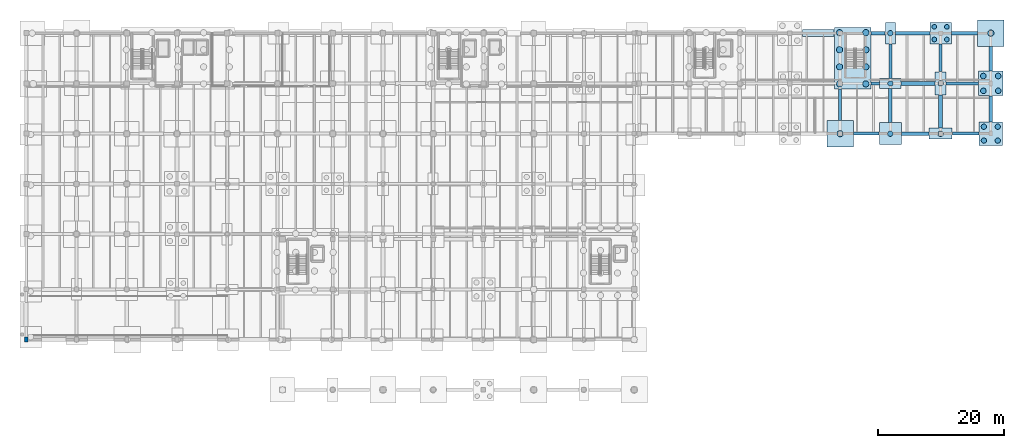
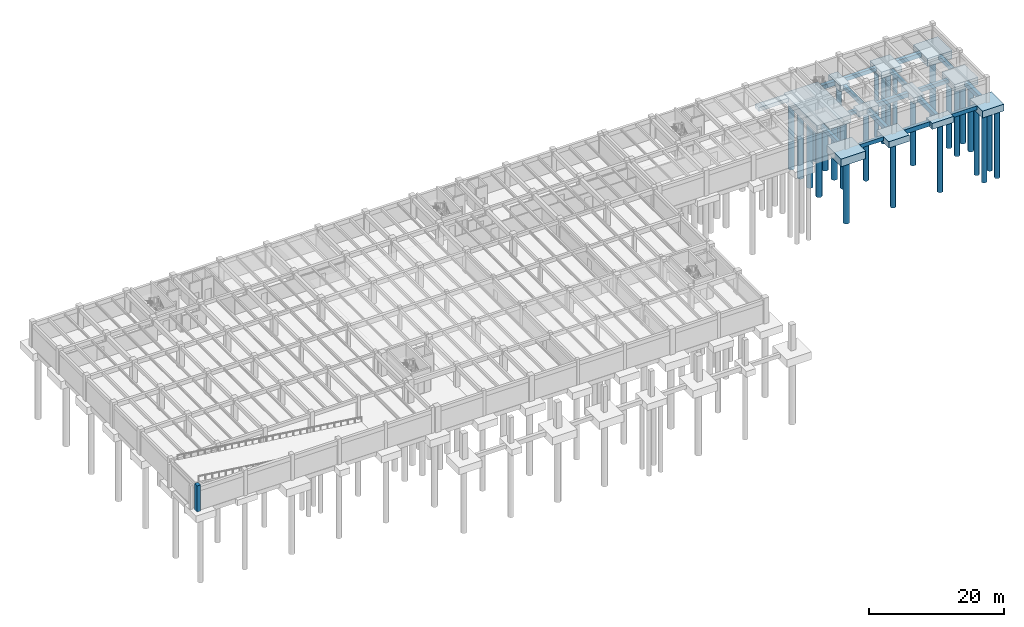
# One storey, part 6 of 25: 28 footings, 27 piles, 1 column.
"""IFC4 building model written with IfcOpenShell, lengths in metres."""

from ifc_helpers import new_model, si_unit, direction, frame, origin, origin_2d, place, context, subcontext, project, spatial, rectangle, circle, extrude, material, layer, layer_set, material_profile, profile_set, type_object, element, save


model = new_model("IFC4")

# Units and contexts
model_context = context("Model", 3, precision=1e-05, world=origin(), true_north=direction((0.0, 1.0)))
body_context = subcontext(model_context, "Body", "Model", "MODEL_VIEW")
ifc_project = project(units=[si_unit("LENGTHUNIT", "METRE"), si_unit("AREAUNIT", "SQUARE_METRE"), si_unit("VOLUMEUNIT", "CUBIC_METRE"), si_unit("PLANEANGLEUNIT", "RADIAN"), si_unit("MASSUNIT", "GRAM", prefix="KILO")], contexts=[model_context])

# Site, building, storey
site_placement = place(None, origin())
site = spatial("IfcSite", under=ifc_project, at=site_placement, CompositionType="ELEMENT")
building_placement = place(site_placement, origin())
building = spatial("IfcBuilding", under=site, at=building_placement, Name="Tlaxcora Railside Police Headquarters", CompositionType="ELEMENT")
storey_placement = place(building_placement, frame((0.0, 0.0, -4.199951171875)))
storey = spatial("IfcBuildingStorey", under=building, at=storey_placement, Name="B1", CompositionType="ELEMENT", Elevation=-4.199951171875)

# Piles
ifc_material_1 = material(Name="Concrete C35/45", Category="concrete")
ifc_material_profile_1 = material_profile(ifc_material_1, circle(Radius=0.425048828125, at=origin_2d()), Name="PILE850")
ifc_profile_set_1 = profile_set([ifc_material_profile_1], Name="Concrete C35/45")
pile_type_1 = type_object("IfcPileType", Name="Cast-in-Place Bored Pile PL-12", PredefinedType="BORED", material=ifc_profile_set_1)
pile_placement = place(storey_placement, frame((142.800048828125, 76.800048828125, -1.43994140625), z_axis=(0.0, 0.0, -1.0), x_axis=(1.0, 0.0, 0.0)))
element("IfcPile", 1, at=pile_placement, inside=storey, type_object=pile_type_1, Name="Bored pile PILE-094-1", PredefinedType="BORED", context=body_context, shape_type="SweptSolid", body=[
    extrude(circle(Radius=0.425048828125, at=origin_2d()), origin(), (0.0, 0.0, 1.0), 12.360107421875),
])
for number, where, z_axis, x_axis, name in (
    (2, (142.800048828125, 84.800048828125, -1.340087890625), (0.0, 0.0, -1.0), (1.0, 0.0, 0.0), "Bored pile PILE-095-1"),
    (3, (142.800048828125, 92.800048828125, -1.340087890625), (0.0, 0.0, -1.0), (1.0, 0.0, 0.0), "Bored pile PILE-096-1"),
):
    element("IfcPile", number, at=place(storey_placement, frame(where, z_axis=z_axis, x_axis=x_axis)), inside=storey, type_object=pile_type_1, Name=name, PredefinedType="BORED", context=body_context, shape_type="SweptSolid", body=[
        extrude(circle(Radius=0.425048828125, at=origin_2d()), origin(), (0.0, 0.0, 1.0), 12.4599609375),
    ])
for number, where, z_axis, x_axis, name in (
    (4, (157.695068359375, 75.695068359375, -1.5400390625), (0.0, 0.0, -1.0), (1.0, 0.0, 0.0), "Bored pile PILE-100-1"),
    (5, (157.695068359375, 77.905029296875, -1.5400390625), (0.0, 0.0, -1.0), (1.0, 0.0, 0.0), "Bored pile PILE-100-2"),
    (6, (159.905029296875, 75.695068359375, -1.5400390625), (0.0, 0.0, -1.0), (1.0, 0.0, 0.0), "Bored pile PILE-100-3"),
    (7, (159.905029296875, 77.905029296875, -1.5400390625), (0.0, 0.0, -1.0), (1.0, 0.0, 0.0), "Bored pile PILE-100-4"),
):
    element("IfcPile", number, at=place(storey_placement, frame(where, z_axis=z_axis, x_axis=x_axis)), inside=storey, type_object=pile_type_1, Name=name, PredefinedType="BORED", context=body_context, shape_type="SweptSolid", body=[
        extrude(circle(Radius=0.425048828125, at=origin_2d()), origin(), (0.0, 0.0, 1.0), 12.260009765625),
    ])
ifc_material_profile_2 = material_profile(ifc_material_1, circle(Radius=0.449951171875, at=origin_2d()), Name="PILE900")
ifc_profile_set_2 = profile_set([ifc_material_profile_2], Name="Concrete C35/45")
pile_type_2 = type_object("IfcPileType", Name="Cast-in-Place Bored Pile PL-52", PredefinedType="BORED", material=ifc_profile_set_2)
for number, where, z_axis, x_axis, name in (
    (8, (150.800048828125, 76.800048828125, -1.39013671875), (0.0, 0.0, -1.0), (1.0, 0.0, 0.0), "Bored pile PILE-097-1"),
    (9, (150.800048828125, 84.800048828125, -1.39013671875), (0.0, 0.0, -1.0), (1.0, 0.0, 0.0), "Bored pile PILE-098-1"),
):
    element("IfcPile", number, at=place(storey_placement, frame(where, z_axis=z_axis, x_axis=x_axis)), inside=storey, type_object=pile_type_2, Name=name, PredefinedType="BORED", context=body_context, shape_type="SweptSolid", body=[
        extrude(circle(Radius=0.449951171875, at=origin_2d()), origin(), (0.0, 0.0, 1.0), 12.409912109375),
    ])
for number, where, z_axis, x_axis, name in (
    (10, (157.6201171875, 83.6201171875, -1.590087890625), (0.0, 0.0, -1.0), (1.0, 0.0, 0.0), "Bored pile PILE-101-1"),
    (11, (157.6201171875, 85.97998046875, -1.590087890625), (0.0, 0.0, -1.0), (1.0, 0.0, 0.0), "Bored pile PILE-101-2"),
    (12, (159.97998046875, 83.6201171875, -1.590087890625), (0.0, 0.0, -1.0), (1.0, 0.0, 0.0), "Bored pile PILE-101-3"),
    (13, (159.97998046875, 85.97998046875, -1.590087890625), (0.0, 0.0, -1.0), (1.0, 0.0, 0.0), "Bored pile PILE-101-4"),
):
    element("IfcPile", number, at=place(storey_placement, frame(where, z_axis=z_axis, x_axis=x_axis)), inside=storey, type_object=pile_type_2, Name=name, PredefinedType="BORED", context=body_context, shape_type="SweptSolid", body=[
        extrude(circle(Radius=0.449951171875, at=origin_2d()), origin(), (0.0, 0.0, 1.0), 12.2099609375),
    ])
ifc_material_profile_3 = material_profile(ifc_material_1, circle(Radius=0.375, at=origin_2d()), Name="PILE750")
ifc_profile_set_3 = profile_set([ifc_material_profile_3], Name="Concrete C35/45")
pile_type_3 = type_object("IfcPileType", Name="Cast-in-Place Bored Pile PL-58", PredefinedType="BORED", material=ifc_profile_set_3)
for number, where, z_axis, x_axis, name in (
    (14, (149.794921875, 91.794921875, -1.43994140625), (0.0, 0.0, -1.0), (1.0, 0.0, 0.0), "Bored pile PILE-099-1"),
    (15, (149.794921875, 93.804931640625, -1.43994140625), (0.0, 0.0, -1.0), (1.0, 0.0, 0.0), "Bored pile PILE-099-2"),
    (16, (151.804931640625, 91.794921875, -1.43994140625), (0.0, 0.0, -1.0), (1.0, 0.0, 0.0), "Bored pile PILE-099-3"),
    (17, (151.804931640625, 93.804931640625, -1.43994140625), (0.0, 0.0, -1.0), (1.0, 0.0, 0.0), "Bored pile PILE-099-4"),
):
    element("IfcPile", number, at=place(storey_placement, frame(where, z_axis=z_axis, x_axis=x_axis)), inside=storey, type_object=pile_type_3, Name=name, PredefinedType="BORED", context=body_context, shape_type="SweptSolid", body=[
        extrude(circle(Radius=0.375, at=origin_2d()), origin(), (0.0, 0.0, 1.0), 12.360107421875),
    ])
ifc_material_profile_4 = material_profile(ifc_material_1, circle(Radius=0.5, at=origin_2d()), Name="PILE1000")
ifc_profile_set_4 = profile_set([ifc_material_profile_4], Name="Concrete C35/45")
pile_type_4 = type_object("IfcPileType", Name="Cast-in-Place Bored Pile PL-74", PredefinedType="BORED", material=ifc_profile_set_4)
for number, where, z_axis, x_axis, name in (
    (18, (134.719970703125, 84.719970703125, -1.739990234375), (0.0, 0.0, -1.0), (1.0, 0.0, 0.0), "Bored pile PILE-004-1"),
    (19, (134.719970703125, 87.43994140625, -1.739990234375), (0.0, 0.0, -1.0), (1.0, 0.0, 0.0), "Bored pile PILE-004-2"),
    (20, (134.719970703125, 90.159912109375, -1.739990234375), (0.0, 0.0, -1.0), (1.0, 0.0, 0.0), "Bored pile PILE-004-3"),
    (21, (134.719970703125, 92.8798828125, -1.739990234375), (0.0, 0.0, -1.0), (1.0, 0.0, 0.0), "Bored pile PILE-004-4"),
    (22, (138.89990234375, 84.719970703125, -1.739990234375), (0.0, 0.0, -1.0), (1.0, 0.0, 0.0), "Bored pile PILE-004-5"),
    (23, (138.89990234375, 87.43994140625, -1.739990234375), (0.0, 0.0, -1.0), (1.0, 0.0, 0.0), "Bored pile PILE-004-6"),
    (24, (138.89990234375, 90.159912109375, -1.739990234375), (0.0, 0.0, -1.0), (1.0, 0.0, 0.0), "Bored pile PILE-004-7"),
    (25, (138.89990234375, 92.8798828125, -1.739990234375), (0.0, 0.0, -1.0), (1.0, 0.0, 0.0), "Bored pile PILE-004-8"),
):
    element("IfcPile", number, at=place(storey_placement, frame(where, z_axis=z_axis, x_axis=x_axis)), inside=storey, type_object=pile_type_4, Name=name, PredefinedType="BORED", context=body_context, shape_type="SweptSolid", body=[
        extrude(circle(Radius=0.5, at=origin_2d()), origin(), (0.0, 0.0, 1.0), 12.06005859375),
    ])
for number, where, z_axis, x_axis, name in (
    (26, (134.800048828125, 76.800048828125, -1.68994140625), (0.0, 0.0, -1.0), (1.0, 0.0, 0.0), "Bored pile PILE-093-1"),
    (27, (158.800048828125, 92.800048828125, -1.68994140625), (0.0, 0.0, -1.0), (1.0, 0.0, 0.0), "Bored pile PILE-102-1"),
):
    element("IfcPile", number, at=place(storey_placement, frame(where, z_axis=z_axis, x_axis=x_axis)), inside=storey, type_object=pile_type_4, Name=name, PredefinedType="BORED", context=body_context, shape_type="SweptSolid", body=[
        extrude(circle(Radius=0.5, at=origin_2d()), origin(), (0.0, 0.0, 1.0), 12.110107421875),
    ])

# Footings
ifc_material_2 = material(Name="Concrete C40/50", Category="concrete")
ifc_layer_1 = layer(ifc_material_2, 1.449951171875, Name="Concrete C40/50")
ifc_layer_set_1 = layer_set([ifc_layer_1], Name="Concrete C40/50")
footing_type_1 = type_object("IfcFootingType", Name="Reinforced Concrete Pile Cap FT-235", PredefinedType="PILE_CAP", material=ifc_layer_set_1)
footing_1_placement = place(storey_placement, frame((136.81005859375, 88.800048828125, -1.89013671875), z_axis=(0.0, 0.0, 1.0), x_axis=(1.0, 0.0, 0.0)))
element("IfcFooting", 28, at=footing_1_placement, inside=storey, type_object=footing_type_1, Name="Pile cap CAP-B1-004", PredefinedType="PILE_CAP", context=body_context, shape_type="SweptSolid", body=[
    extrude(rectangle(XDim=5.820068359375, YDim=9.800048828125, at=origin_2d()), origin(), (0.0, 0.0, 1.0), 1.449951171875),
])
ifc_layer_2 = layer(ifc_material_2, 1.050048828125, Name="Concrete C40/50")
ifc_layer_set_2 = layer_set([ifc_layer_2], Name="Concrete C40/50")
footing_type_2 = type_object("IfcFootingType", Name="Reinforced Concrete Pile Cap FT-28", PredefinedType="PILE_CAP", material=ifc_layer_set_2)
footing_2_placement = place(storey_placement, frame((142.800048828125, 84.800048828125, -1.490234375), z_axis=(0.0, 0.0, 1.0), x_axis=(1.0, 0.0, 0.0)))
element("IfcFooting", 29, at=footing_2_placement, inside=storey, type_object=footing_type_2, Name="Pile cap CAP-B1-095", PredefinedType="PILE_CAP", context=body_context, shape_type="SweptSolid", body=[
    extrude(rectangle(XDim=3.39990234375, YDim=1.60009765625, at=origin_2d()), origin(), (0.0, 0.0, 1.0), 1.050048828125),
])
ifc_layer_3 = layer(ifc_material_2, 1.050048828125, Name="Concrete C40/50")
ifc_layer_set_3 = layer_set([ifc_layer_3], Name="Concrete C40/50")
footing_type_3 = type_object("IfcFootingType", Name="Reinforced Concrete Pile Cap FT-30", PredefinedType="PILE_CAP", material=ifc_layer_set_3)
footing_3_placement = place(storey_placement, frame((142.800048828125, 92.800048828125, -1.490234375), z_axis=(0.0, 0.0, 1.0), x_axis=(1.0, 0.0, 0.0)))
element("IfcFooting", 30, at=footing_3_placement, inside=storey, type_object=footing_type_3, Name="Pile cap CAP-B1-096", PredefinedType="PILE_CAP", context=body_context, shape_type="SweptSolid", body=[
    extrude(rectangle(XDim=1.60009765625, YDim=3.39990234375, at=origin_2d()), origin(), (0.0, 0.0, 1.0), 1.050048828125),
])
ifc_layer_4 = layer(ifc_material_2, 1.14990234375, Name="Concrete C40/50")
ifc_layer_set_4 = layer_set([ifc_layer_4], Name="Concrete C40/50")
footing_type_4 = type_object("IfcFootingType", Name="Reinforced Concrete Pile Cap FT-44", PredefinedType="PILE_CAP", material=ifc_layer_set_4)
footing_4_placement = place(storey_placement, frame((150.800048828125, 92.800048828125, -1.590087890625), z_axis=(0.0, 0.0, 1.0), x_axis=(1.0, 0.0, 0.0)))
element("IfcFooting", 31, at=footing_4_placement, inside=storey, type_object=footing_type_4, Name="Pile cap CAP-B1-099", PredefinedType="PILE_CAP", context=body_context, shape_type="SweptSolid", body=[
    extrude(rectangle(XDim=3.39990234375, YDim=3.39990234375, at=origin_2d()), origin(), (0.0, 0.0, 1.0), 1.14990234375),
])
ifc_layer_5 = layer(ifc_material_2, 1.14990234375, Name="Concrete C40/50")
ifc_layer_set_5 = layer_set([ifc_layer_5], Name="Concrete C40/50")
footing_type_5 = type_object("IfcFootingType", Name="Reinforced Concrete Pile Cap FT-46", PredefinedType="PILE_CAP", material=ifc_layer_set_5)
footing_5_placement = place(storey_placement, frame((142.800048828125, 76.800048828125, -1.590087890625), z_axis=(0.0, 0.0, 1.0), x_axis=(1.0, 0.0, 0.0)))
element("IfcFooting", 32, at=footing_5_placement, inside=storey, type_object=footing_type_5, Name="Pile cap CAP-B1-094", PredefinedType="PILE_CAP", context=body_context, shape_type="SweptSolid", body=[
    extrude(rectangle(XDim=3.5, YDim=3.5, at=origin_2d()), origin(), (0.0, 0.0, 1.0), 1.14990234375),
])
ifc_layer_6 = layer(ifc_material_2, 1.300048828125, Name="Concrete C40/50")
ifc_layer_set_6 = layer_set([ifc_layer_6], Name="Concrete C40/50")
footing_type_6 = type_object("IfcFootingType", Name="Reinforced Concrete Pile Cap FT-75", PredefinedType="PILE_CAP", material=ifc_layer_set_6)
footing_6_placement = place(storey_placement, frame((158.800048828125, 84.800048828125, -1.740234375), z_axis=(0.0, 0.0, 1.0), x_axis=(1.0, 0.0, 0.0)))
element("IfcFooting", 33, at=footing_6_placement, inside=storey, type_object=footing_type_6, Name="Pile cap CAP-B1-101", PredefinedType="PILE_CAP", context=body_context, shape_type="SweptSolid", body=[
    extrude(rectangle(XDim=3.89990234375, YDim=3.89990234375, at=origin_2d()), origin(), (0.0, 0.0, 1.0), 1.300048828125),
])
ifc_layer_7 = layer(ifc_material_2, 1.10009765625, Name="Concrete C40/50")
ifc_layer_set_7 = layer_set([ifc_layer_7], Name="Concrete C40/50")
footing_type_7 = type_object("IfcFootingType", Name="Reinforced Concrete Pile Cap FT-77", PredefinedType="PILE_CAP", material=ifc_layer_set_7)
footing_7_placement = place(storey_placement, frame((150.800048828125, 76.800048828125, -1.5400390625), z_axis=(0.0, 0.0, 1.0), x_axis=(1.0, 0.0, 0.0)))
element("IfcFooting", 34, at=footing_7_placement, inside=storey, type_object=footing_type_7, Name="Pile cap CAP-B1-097", PredefinedType="PILE_CAP", context=body_context, shape_type="SweptSolid", body=[
    extrude(rectangle(XDim=3.699951171875, YDim=1.75, at=origin_2d()), origin(), (0.0, 0.0, 1.0), 1.10009765625),
])
ifc_layer_8 = layer(ifc_material_2, 1.25, Name="Concrete C40/50")
ifc_layer_set_8 = layer_set([ifc_layer_8], Name="Concrete C40/50")
footing_type_8 = type_object("IfcFootingType", Name="Reinforced Concrete Pile Cap FT-78", PredefinedType="PILE_CAP", material=ifc_layer_set_8)
footing_8_placement = place(storey_placement, frame((158.800048828125, 76.800048828125, -1.68994140625), z_axis=(0.0, 0.0, 1.0), x_axis=(1.0, 0.0, 0.0)))
element("IfcFooting", 35, at=footing_8_placement, inside=storey, type_object=footing_type_8, Name="Pile cap CAP-B1-100", PredefinedType="PILE_CAP", context=body_context, shape_type="SweptSolid", body=[
    extrude(rectangle(XDim=3.699951171875, YDim=3.699951171875, at=origin_2d()), origin(), (0.0, 0.0, 1.0), 1.25),
])
ifc_layer_9 = layer(ifc_material_2, 1.39990234375, Name="Concrete C40/50")
ifc_layer_set_9 = layer_set([ifc_layer_9], Name="Concrete C40/50")
footing_type_9 = type_object("IfcFootingType", Name="Reinforced Concrete Pile Cap FT-93", PredefinedType="PILE_CAP", material=ifc_layer_set_9)
for number, where, z_axis, x_axis, name in (
    (36, (134.800048828125, 76.800048828125, -1.840087890625), (0.0, 0.0, 1.0), (1.0, 0.0, 0.0), "Pile cap CAP-B1-093"),
    (37, (158.800048828125, 92.800048828125, -1.840087890625), (0.0, 0.0, 1.0), (1.0, 0.0, 0.0), "Pile cap CAP-B1-102"),
):
    element("IfcFooting", number, at=place(storey_placement, frame(where, z_axis=z_axis, x_axis=x_axis)), inside=storey, type_object=footing_type_9, Name=name, PredefinedType="PILE_CAP", context=body_context, shape_type="SweptSolid", body=[
        extrude(rectangle(XDim=4.199951171875, YDim=4.199951171875, at=origin_2d()), origin(), (0.0, 0.0, 1.0), 1.39990234375),
    ])
ifc_layer_10 = layer(ifc_material_2, 1.10009765625, Name="Concrete C40/50")
ifc_layer_set_10 = layer_set([ifc_layer_10], Name="Concrete C40/50")
footing_type_10 = type_object("IfcFootingType", Name="Reinforced Concrete Pile Cap FT-97", PredefinedType="PILE_CAP", material=ifc_layer_set_10)
footing_9_placement = place(storey_placement, frame((150.800048828125, 84.800048828125, -1.5400390625), z_axis=(0.0, 0.0, 1.0), x_axis=(1.0, 0.0, 0.0)))
element("IfcFooting", 38, at=footing_9_placement, inside=storey, type_object=footing_type_10, Name="Pile cap CAP-B1-098", PredefinedType="PILE_CAP", context=body_context, shape_type="SweptSolid", body=[
    extrude(rectangle(XDim=1.75, YDim=3.699951171875, at=origin_2d()), origin(), (0.0, 0.0, 1.0), 1.10009765625),
])
ifc_layer_11 = layer(ifc_material_1, 0.699951171875, Name="Concrete C35/45")
ifc_layer_set_11 = layer_set([ifc_layer_11], Name="Concrete C35/45")
footing_type_11 = type_object("IfcFootingType", Name="Reinforced Concrete Strip Footing FT-67", PredefinedType="STRIP_FOOTING", material=ifc_layer_set_11)
footing_10_placement = place(storey_placement, frame((131.324951171875, 92.800048828125, -1.14013671875), z_axis=(0.0, 0.0, 1.0), x_axis=(1.0, 0.0, 0.0)))
element("IfcFooting", 39, at=footing_10_placement, inside=storey, type_object=footing_type_11, Name="Retaining wall strip footing SF-02", PredefinedType="STRIP_FOOTING", context=body_context, shape_type="SweptSolid", body=[
    extrude(rectangle(XDim=5.030029296875, YDim=1.10009765625, at=origin_2d()), origin(), (0.0, 0.0, 1.0), 0.699951171875),
])
ifc_layer_12 = layer(ifc_material_1, 0.699951171875, Name="Concrete C35/45")
ifc_layer_set_12 = layer_set([ifc_layer_12], Name="Concrete C35/45")
footing_type_12 = type_object("IfcFootingType", Name="Reinforced Concrete Tie Beam FT-39", PredefinedType="FOOTING_BEAM", material=ifc_layer_set_12)
footing_11_placement = place(storey_placement, frame((138.97509765625, 76.800048828125, -1.14013671875), z_axis=(0.0, 0.0, 1.0), x_axis=(1.0, 0.0, 0.0)))
element("IfcFooting", 40, at=footing_11_placement, inside=storey, type_object=footing_type_12, Name="Seismic tie beam TB-X-071", PredefinedType="FOOTING_BEAM", context=body_context, shape_type="SweptSolid", body=[
    extrude(rectangle(XDim=4.110107421875, YDim=0.5, at=origin_2d()), origin(), (0.0, 0.0, 1.0), 0.699951171875),
])
footing_12_placement = place(storey_placement, frame((154.800048828125, 76.800048828125, -1.14013671875), z_axis=(0.0, 0.0, 1.0), x_axis=(1.0, 0.0, 0.0)))
element("IfcFooting", 41, at=footing_12_placement, inside=storey, type_object=footing_type_12, Name="Seismic tie beam TB-X-073", PredefinedType="FOOTING_BEAM", context=body_context, shape_type="SweptSolid", body=[
    extrude(rectangle(XDim=4.260009765625, YDim=0.5, at=origin_2d()), origin(), (0.0, 0.0, 1.0), 0.699951171875),
])
footing_13_placement = place(storey_placement, frame((140.409912109375, 84.800048828125, -1.14013671875), z_axis=(0.0, 0.0, 1.0), x_axis=(1.0, 0.0, 0.0)))
element("IfcFooting", 42, at=footing_13_placement, inside=storey, type_object=footing_type_12, Name="Seismic tie beam TB-X-085", PredefinedType="FOOTING_BEAM", context=body_context, shape_type="SweptSolid", body=[
    extrude(rectangle(XDim=1.340087890625, YDim=0.5, at=origin_2d()), origin(), (0.0, 0.0, 1.0), 0.699951171875),
])
footing_14_placement = place(storey_placement, frame((154.262451171875, 84.800048828125, -1.14013671875), z_axis=(0.0, 0.0, 1.0), x_axis=(1.0, 0.0, 0.0)))
element("IfcFooting", 43, at=footing_14_placement, inside=storey, type_object=footing_type_12, Name="Seismic tie beam TB-X-087", PredefinedType="FOOTING_BEAM", context=body_context, shape_type="SweptSolid", body=[
    extrude(rectangle(XDim=5.135009765625, YDim=0.5, at=origin_2d()), origin(), (0.0, 0.0, 1.0), 0.699951171875),
])
footing_15_placement = place(storey_placement, frame((146.35009765625, 92.800048828125, -1.14013671875), z_axis=(0.0, 0.0, 1.0), x_axis=(1.0, 0.0, 0.0)))
element("IfcFooting", 44, at=footing_15_placement, inside=storey, type_object=footing_type_12, Name="Seismic tie beam TB-X-089", PredefinedType="FOOTING_BEAM", context=body_context, shape_type="SweptSolid", body=[
    extrude(rectangle(XDim=5.4599609375, YDim=0.5, at=origin_2d()), origin(), (0.0, 0.0, 1.0), 0.699951171875),
])
footing_16_placement = place(storey_placement, frame((134.800048828125, 81.39990234375, -1.14013671875), z_axis=(0.0, 0.0, 1.0), x_axis=(0.0, 1.0, 0.0)))
element("IfcFooting", 45, at=footing_16_placement, inside=storey, type_object=footing_type_12, Name="Seismic tie beam TB-Y-163", PredefinedType="FOOTING_BEAM", context=body_context, shape_type="SweptSolid", body=[
    extrude(rectangle(XDim=4.9599609375, YDim=0.5, at=origin_2d()), origin(), (0.0, 0.0, 1.0), 0.699951171875),
])
footing_17_placement = place(storey_placement, frame((142.800048828125, 88.35009765625, -1.14013671875), z_axis=(0.0, 0.0, 1.0), x_axis=(0.0, 1.0, 0.0)))
element("IfcFooting", 46, at=footing_17_placement, inside=storey, type_object=footing_type_12, Name="Seismic tie beam TB-Y-165", PredefinedType="FOOTING_BEAM", context=body_context, shape_type="SweptSolid", body=[
    extrude(rectangle(XDim=5.4599609375, YDim=0.5, at=origin_2d()), origin(), (0.0, 0.0, 1.0), 0.699951171875),
])
footing_18_placement = place(storey_placement, frame((150.800048828125, 88.875, -1.14013671875), z_axis=(0.0, 0.0, 1.0), x_axis=(0.0, 1.0, 0.0)))
element("IfcFooting", 47, at=footing_18_placement, inside=storey, type_object=footing_type_12, Name="Seismic tie beam TB-Y-167", PredefinedType="FOOTING_BEAM", context=body_context, shape_type="SweptSolid", body=[
    extrude(rectangle(XDim=4.409912109375, YDim=0.5, at=origin_2d()), origin(), (0.0, 0.0, 1.0), 0.699951171875),
])
footing_19_placement = place(storey_placement, frame((158.800048828125, 88.72509765625, -1.14013671875), z_axis=(0.0, 0.0, 1.0), x_axis=(0.0, 1.0, 0.0)))
element("IfcFooting", 48, at=footing_19_placement, inside=storey, type_object=footing_type_12, Name="Seismic tie beam TB-Y-169", PredefinedType="FOOTING_BEAM", context=body_context, shape_type="SweptSolid", body=[
    extrude(rectangle(XDim=3.909912109375, YDim=0.5, at=origin_2d()), origin(), (0.0, 0.0, 1.0), 0.699951171875),
])
ifc_layer_13 = layer(ifc_material_1, 0.800048828125, Name="Concrete C35/45")
ifc_layer_set_13 = layer_set([ifc_layer_13], Name="Concrete C35/45")
footing_type_13 = type_object("IfcFootingType", Name="Reinforced Concrete Tie Beam FT-96", PredefinedType="FOOTING_BEAM", material=ifc_layer_set_13)
footing_20_placement = place(storey_placement, frame((146.75, 76.800048828125, -1.240234375), z_axis=(0.0, 0.0, 1.0), x_axis=(1.0, 0.0, 0.0)))
element("IfcFooting", 49, at=footing_20_placement, inside=storey, type_object=footing_type_13, Name="Seismic tie beam TB-X-072", PredefinedType="FOOTING_BEAM", context=body_context, shape_type="SweptSolid", body=[
    extrude(rectangle(XDim=4.360107421875, YDim=0.60009765625, at=origin_2d()), origin(), (0.0, 0.0, 1.0), 0.800048828125),
])
footing_21_placement = place(storey_placement, frame((147.21240234375, 84.800048828125, -1.240234375), z_axis=(0.0, 0.0, 1.0), x_axis=(1.0, 0.0, 0.0)))
element("IfcFooting", 50, at=footing_21_placement, inside=storey, type_object=footing_type_13, Name="Seismic tie beam TB-X-086", PredefinedType="FOOTING_BEAM", context=body_context, shape_type="SweptSolid", body=[
    extrude(rectangle(XDim=5.385009765625, YDim=0.60009765625, at=origin_2d()), origin(), (0.0, 0.0, 1.0), 0.800048828125),
])
footing_22_placement = place(storey_placement, frame((140.860107421875, 92.800048828125, -1.240234375), z_axis=(0.0, 0.0, 1.0), x_axis=(1.0, 0.0, 0.0)))
element("IfcFooting", 51, at=footing_22_placement, inside=storey, type_object=footing_type_13, Name="Seismic tie beam TB-X-088", PredefinedType="FOOTING_BEAM", context=body_context, shape_type="SweptSolid", body=[
    extrude(rectangle(XDim=2.239990234375, YDim=0.60009765625, at=origin_2d()), origin(), (0.0, 0.0, 1.0), 0.800048828125),
])
footing_23_placement = place(storey_placement, frame((154.60009765625, 92.800048828125, -1.240234375), z_axis=(0.0, 0.0, 1.0), x_axis=(1.0, 0.0, 0.0)))
element("IfcFooting", 52, at=footing_23_placement, inside=storey, type_object=footing_type_13, Name="Seismic tie beam TB-X-090", PredefinedType="FOOTING_BEAM", context=body_context, shape_type="SweptSolid", body=[
    extrude(rectangle(XDim=4.159912109375, YDim=0.60009765625, at=origin_2d()), origin(), (0.0, 0.0, 1.0), 0.800048828125),
])
footing_24_placement = place(storey_placement, frame((142.800048828125, 81.27490234375, -1.240234375), z_axis=(0.0, 0.0, 1.0), x_axis=(0.0, 1.0, 0.0)))
element("IfcFooting", 53, at=footing_24_placement, inside=storey, type_object=footing_type_13, Name="Seismic tie beam TB-Y-164", PredefinedType="FOOTING_BEAM", context=body_context, shape_type="SweptSolid", body=[
    extrude(rectangle(XDim=5.409912109375, YDim=0.60009765625, at=origin_2d()), origin(), (0.0, 0.0, 1.0), 0.800048828125),
])
footing_25_placement = place(storey_placement, frame((150.800048828125, 80.3125, -1.240234375), z_axis=(0.0, 0.0, 1.0), x_axis=(0.0, 1.0, 0.0)))
element("IfcFooting", 54, at=footing_25_placement, inside=storey, type_object=footing_type_13, Name="Seismic tie beam TB-Y-166", PredefinedType="FOOTING_BEAM", context=body_context, shape_type="SweptSolid", body=[
    extrude(rectangle(XDim=5.235107421875, YDim=0.60009765625, at=origin_2d()), origin(), (0.0, 0.0, 1.0), 0.800048828125),
])
footing_26_placement = place(storey_placement, frame((158.800048828125, 80.75, -1.240234375), z_axis=(0.0, 0.0, 1.0), x_axis=(0.0, 1.0, 0.0)))
element("IfcFooting", 55, at=footing_26_placement, inside=storey, type_object=footing_type_13, Name="Seismic tie beam TB-Y-168", PredefinedType="FOOTING_BEAM", context=body_context, shape_type="SweptSolid", body=[
    extrude(rectangle(XDim=4.159912109375, YDim=0.60009765625, at=origin_2d()), origin(), (0.0, 0.0, 1.0), 0.800048828125),
])

# Column
ifc_material_profile_5 = material_profile(ifc_material_2, rectangle(XDim=0.60009765625, YDim=0.800048828125, at=origin_2d()), Name="RC600X800")
ifc_profile_set_5 = profile_set([ifc_material_profile_5], Name="Concrete C40/50")
column_type = type_object("IfcColumnType", Name="Structural Column CL-90", PredefinedType="COLUMN", material=ifc_profile_set_5)
column_placement = place(storey_placement, frame((5.199951171875, 44.0, -0.52001953125), z_axis=(0.0, 0.0, 1.0), x_axis=(1.0, 0.0, 0.0)))
element("IfcColumn", 56, at=column_placement, inside=storey, type_object=column_type, Name="B1 column (5.2, 44.0)", PredefinedType="COLUMN", context=body_context, shape_type="SweptSolid", body=[
    extrude(rectangle(XDim=0.60009765625, YDim=0.800048828125, at=origin_2d()), origin(), (0.0, 0.0, 1.0), 4.719970703125),
])

save(model, "model.ifc")
